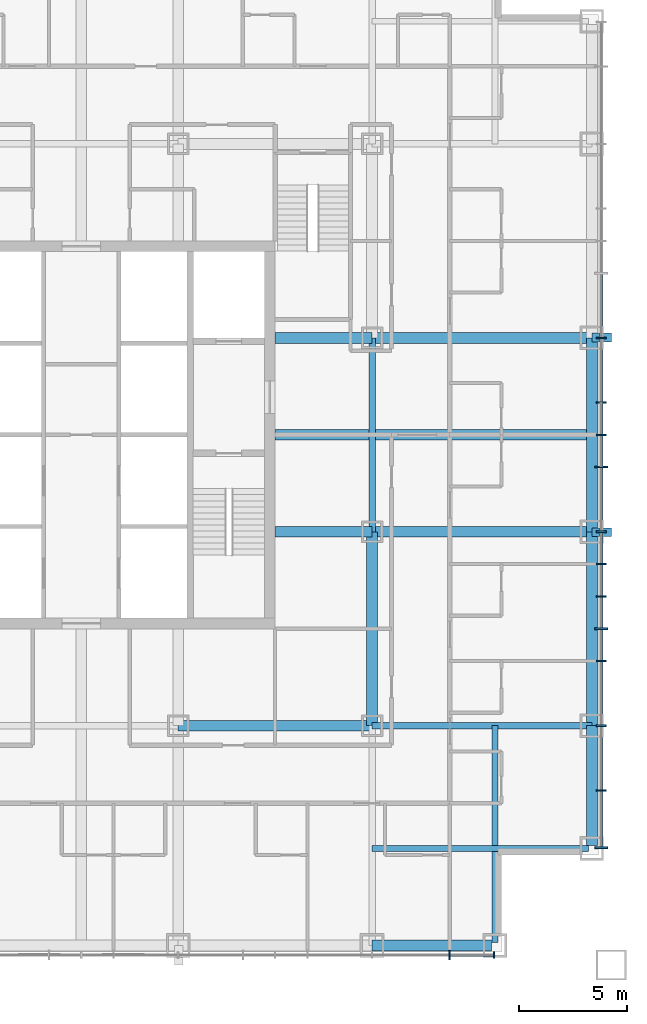
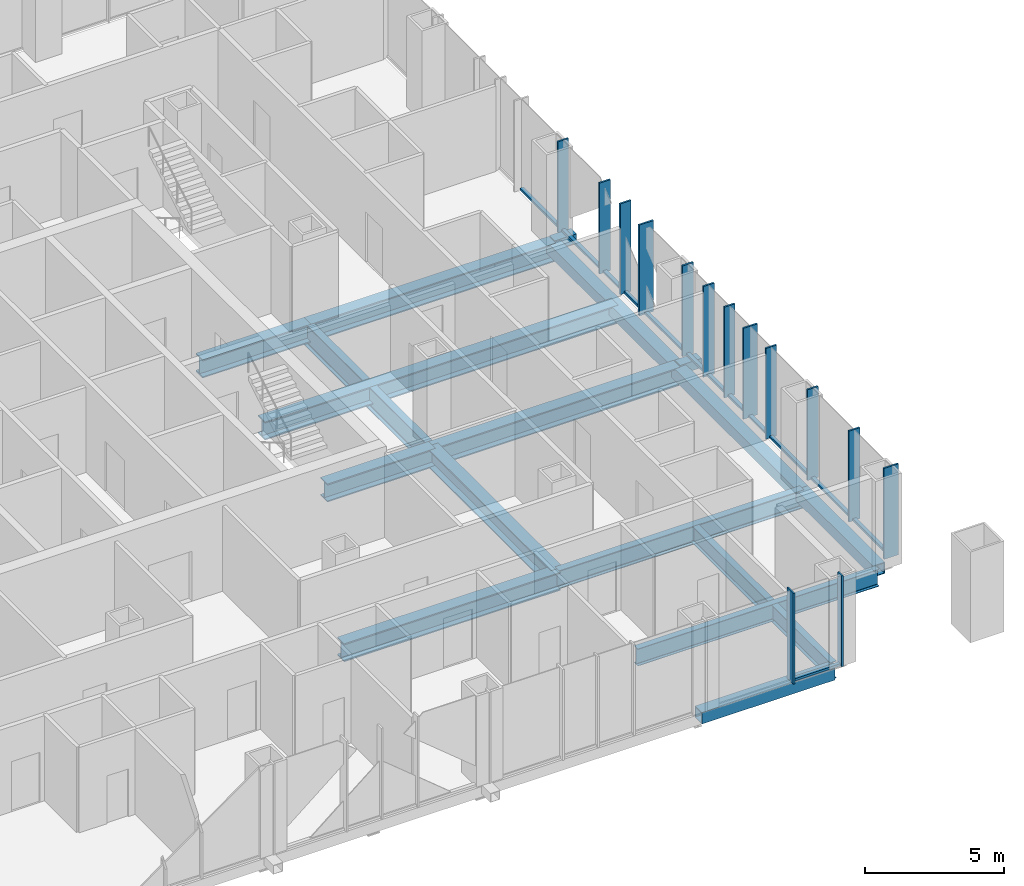
# One storey, part 4 of 16: 29 members, 15 beams, 2 elements without a shape of their own.
"""IFC4 building model written with IfcOpenShell, lengths in metres."""

from ifc_helpers import new_model, si_unit, direction, frame, origin, origin_2d, place, context, subcontext, project, spatial, rectangle, hollow_rectangle, i_section, extrude, material, layer, layer_set, material_profile, profile_set, type_object, element, aggregate, save


model = new_model("IFC4")

# Units and contexts
model_context = context("Model", 3, precision=1e-05, world=origin(), true_north=direction((0.0, 1.0)))
body_context = subcontext(model_context, "Body", "Model", "MODEL_VIEW")
ifc_project = project(units=[si_unit("LENGTHUNIT", "METRE"), si_unit("AREAUNIT", "SQUARE_METRE"), si_unit("VOLUMEUNIT", "CUBIC_METRE"), si_unit("PLANEANGLEUNIT", "RADIAN"), si_unit("MASSUNIT", "GRAM", prefix="KILO")], contexts=[model_context])

# Site, building, storey
site_placement = place(None, origin())
site = spatial("IfcSite", under=ifc_project, at=site_placement, CompositionType="ELEMENT")
building_placement = place(site_placement, origin())
building = spatial("IfcBuilding", under=site, at=building_placement, Name="Malebo Sky Hospital", CompositionType="ELEMENT")
storey_placement = place(building_placement, frame((0.0, 0.0, 116.0)))
storey = spatial("IfcBuildingStorey", under=building, at=storey_placement, Name="L27", CompositionType="ELEMENT", Elevation=116.0)

# Curtain wall, member
ifc_material_1 = material(Name="Anodised aluminium, natural silver", Category="aluminium")
ifc_layer_1 = layer(ifc_material_1, 0.25)
ifc_layer_set_1 = layer_set([ifc_layer_1], Name="WARD CURTAIN WALL NORTH AND SOUTH")
curtain_wall_type_1 = type_object("IfcCurtainWallType", Name="WARD CURTAIN WALL NORTH AND SOUTH", PredefinedType="NOTDEFINED", material=ifc_layer_set_1)
curtain_wall_1_placement = place(storey_placement, origin())
curtain_wall_1 = element("IfcCurtainWall", 1, at=curtain_wall_1_placement, inside=storey, type_object=curtain_wall_type_1, Name="NS curtain wall S", PredefinedType="NOTDEFINED")
ifc_material_profile_1 = material_profile(ifc_material_1, rectangle(XDim=0.14990234375, YDim=0.10009765625, at=origin_2d()), Name="ALUMINIUM TRANSOM 150x100")
ifc_profile_set_1 = profile_set([ifc_material_profile_1], Name="Anodised aluminium, natural silver")
member_type_1 = type_object("IfcMemberType", Name="ALUMINIUM TRANSOM 150x100", PredefinedType="USERDEFINED", material=ifc_profile_set_1)
member_1_placement = place(storey_placement, frame((79.125, 37.864990234375, 0.050048828125), z_axis=(-1.0, 0.0, 0.0), x_axis=(0.0, -1.0, 0.0)))
member_1 = element("IfcMember", 2, at=member_1_placement, type_object=member_type_1, Name="Transom 1", ObjectType="TRANSOM", PredefinedType="USERDEFINED", context=body_context, shape_type="SweptSolid", body=[
    extrude(rectangle(XDim=0.14990234375, YDim=0.10009765625, at=origin_2d()), origin(), (0.0, 0.0, 1.0), 1.987548828125),
])

# Curtain wall, members
ifc_layer_2 = layer(ifc_material_1, 0.25)
ifc_layer_set_2 = layer_set([ifc_layer_2], Name="WARD CURTAIN WALL EAST AND WEST")
curtain_wall_type_2 = type_object("IfcCurtainWallType", Name="WARD CURTAIN WALL EAST AND WEST", PredefinedType="NOTDEFINED", material=ifc_layer_set_2)
curtain_wall_2_placement = place(storey_placement, origin())
curtain_wall_2 = element("IfcCurtainWall", 3, at=curtain_wall_2_placement, inside=storey, type_object=curtain_wall_type_2, Name="EW curtain wall E", PredefinedType="NOTDEFINED")
member_2_placement = place(storey_placement, frame((84.135009765625, 69.46240234375, 0.050048828125), z_axis=(0.0, -1.0, 0.0), x_axis=(1.0, 0.0, 0.0)))
member_2 = element("IfcMember", 4, at=member_2_placement, type_object=member_type_1, Name="Transom 6", ObjectType="TRANSOM", PredefinedType="USERDEFINED", context=body_context, shape_type="SweptSolid", body=[
    extrude(rectangle(XDim=0.14990234375, YDim=0.10009765625, at=origin_2d()), origin(), (0.0, 0.0, 1.0), 2.9248046875),
])
member_3_placement = place(storey_placement, frame((84.135009765625, 66.46240234375, 0.050048828125), z_axis=(0.0, -1.0, 0.0), x_axis=(1.0, 0.0, 0.0)))
member_3 = element("IfcMember", 5, at=member_3_placement, type_object=member_type_1, Name="Transom 7", ObjectType="TRANSOM", PredefinedType="USERDEFINED", context=body_context, shape_type="SweptSolid", body=[
    extrude(rectangle(XDim=0.14990234375, YDim=0.10009765625, at=origin_2d()), origin(), (0.0, 0.0, 1.0), 2.9248046875),
])
member_4_placement = place(storey_placement, frame((84.135009765625, 63.46240234375, 0.050048828125), z_axis=(0.0, -1.0, 0.0), x_axis=(1.0, 0.0, 0.0)))
member_4 = element("IfcMember", 6, at=member_4_placement, type_object=member_type_1, Name="Transom 8", ObjectType="TRANSOM", PredefinedType="USERDEFINED", context=body_context, shape_type="SweptSolid", body=[
    extrude(rectangle(XDim=0.14990234375, YDim=0.10009765625, at=origin_2d()), origin(), (0.0, 0.0, 1.0), 1.4248046875),
])
member_5_placement = place(storey_placement, frame((84.135009765625, 61.96240234375, 0.050048828125), z_axis=(0.0, -1.0, 0.0), x_axis=(1.0, 0.0, 0.0)))
member_5 = element("IfcMember", 7, at=member_5_placement, type_object=member_type_1, Name="Transom 9", ObjectType="TRANSOM", PredefinedType="USERDEFINED", context=body_context, shape_type="SweptSolid", body=[
    extrude(rectangle(XDim=0.14990234375, YDim=0.10009765625, at=origin_2d()), origin(), (0.0, 0.0, 1.0), 1.4248046875),
])
member_6_placement = place(storey_placement, frame((84.135009765625, 60.46240234375, 0.050048828125), z_axis=(0.0, -1.0, 0.0), x_axis=(1.0, 0.0, 0.0)))
member_6 = element("IfcMember", 8, at=member_6_placement, type_object=member_type_1, Name="Transom 10", ObjectType="TRANSOM", PredefinedType="USERDEFINED", context=body_context, shape_type="SweptSolid", body=[
    extrude(rectangle(XDim=0.14990234375, YDim=0.10009765625, at=origin_2d()), origin(), (0.0, 0.0, 1.0), 2.9248046875),
])
member_7_placement = place(storey_placement, frame((84.135009765625, 57.46240234375, 0.050048828125), z_axis=(0.0, -1.0, 0.0), x_axis=(1.0, 0.0, 0.0)))
member_7 = element("IfcMember", 9, at=member_7_placement, type_object=member_type_1, Name="Transom 11", ObjectType="TRANSOM", PredefinedType="USERDEFINED", context=body_context, shape_type="SweptSolid", body=[
    extrude(rectangle(XDim=0.14990234375, YDim=0.10009765625, at=origin_2d()), origin(), (0.0, 0.0, 1.0), 1.4248046875),
])
member_8_placement = place(storey_placement, frame((84.135009765625, 55.96240234375, 0.050048828125), z_axis=(0.0, -1.0, 0.0), x_axis=(1.0, 0.0, 0.0)))
member_8 = element("IfcMember", 10, at=member_8_placement, type_object=member_type_1, Name="Transom 12", ObjectType="TRANSOM", PredefinedType="USERDEFINED", context=body_context, shape_type="SweptSolid", body=[
    extrude(rectangle(XDim=0.14990234375, YDim=0.10009765625, at=origin_2d()), origin(), (0.0, 0.0, 1.0), 1.4248046875),
])
member_9_placement = place(storey_placement, frame((84.135009765625, 54.46240234375, 0.050048828125), z_axis=(0.0, -1.0, 0.0), x_axis=(1.0, 0.0, 0.0)))
member_9 = element("IfcMember", 11, at=member_9_placement, type_object=member_type_1, Name="Transom 13", ObjectType="TRANSOM", PredefinedType="USERDEFINED", context=body_context, shape_type="SweptSolid", body=[
    extrude(rectangle(XDim=0.14990234375, YDim=0.10009765625, at=origin_2d()), origin(), (0.0, 0.0, 1.0), 1.4248046875),
])
member_10_placement = place(storey_placement, frame((84.135009765625, 52.96240234375, 0.050048828125), z_axis=(0.0, -1.0, 0.0), x_axis=(1.0, 0.0, 0.0)))
member_10 = element("IfcMember", 12, at=member_10_placement, type_object=member_type_1, Name="Transom 14", ObjectType="TRANSOM", PredefinedType="USERDEFINED", context=body_context, shape_type="SweptSolid", body=[
    extrude(rectangle(XDim=0.14990234375, YDim=0.10009765625, at=origin_2d()), origin(), (0.0, 0.0, 1.0), 1.4248046875),
])
member_11_placement = place(storey_placement, frame((84.135009765625, 51.46240234375, 0.050048828125), z_axis=(0.0, -1.0, 0.0), x_axis=(1.0, 0.0, 0.0)))
member_11 = element("IfcMember", 13, at=member_11_placement, type_object=member_type_1, Name="Transom 15", ObjectType="TRANSOM", PredefinedType="USERDEFINED", context=body_context, shape_type="SweptSolid", body=[
    extrude(rectangle(XDim=0.14990234375, YDim=0.10009765625, at=origin_2d()), origin(), (0.0, 0.0, 1.0), 2.9248046875),
])
member_12_placement = place(storey_placement, frame((84.135009765625, 48.46240234375, 0.050048828125), z_axis=(0.0, -1.0, 0.0), x_axis=(1.0, 0.0, 0.0)))
member_12 = element("IfcMember", 14, at=member_12_placement, type_object=member_type_1, Name="Transom 16", ObjectType="TRANSOM", PredefinedType="USERDEFINED", context=body_context, shape_type="SweptSolid", body=[
    extrude(rectangle(XDim=0.14990234375, YDim=0.10009765625, at=origin_2d()), origin(), (0.0, 0.0, 1.0), 2.9248046875),
])
member_13_placement = place(storey_placement, frame((84.135009765625, 45.46240234375, 0.050048828125), z_axis=(0.0, -1.0, 0.0), x_axis=(1.0, 0.0, 0.0)))
member_13 = element("IfcMember", 15, at=member_13_placement, type_object=member_type_1, Name="Transom 17", ObjectType="TRANSOM", PredefinedType="USERDEFINED", context=body_context, shape_type="SweptSolid", body=[
    extrude(rectangle(XDim=0.14990234375, YDim=0.10009765625, at=origin_2d()), origin(), (0.0, 0.0, 1.0), 2.58740234375),
])

# Members
ifc_material_2 = material(Name="Steel S355", Category="steel")
ifc_material_profile_2 = material_profile(ifc_material_2, hollow_rectangle(XDim=0.39990234375, YDim=0.39990234375, WallThickness=0.02001953125, at=origin_2d()), Name="SHS 400x20")
ifc_profile_set_2 = profile_set([ifc_material_profile_2], Name="Steel S355")
member_type_2 = type_object("IfcMemberType", Name="BRACE STRUT SHS 400x20", PredefinedType="STRUT", material=ifc_profile_set_2)
for number, where, z_axis, x_axis, name in (
    (16, (84.60009765625, 57.48046875, -0.39990234375), (-1.0, 0.0, 0.0), (0.0, -1.0, 0.0), "Brace strut BE1 L27"),
    (17, (84.60009765625, 66.51953125, -0.39990234375), (-1.0, 0.0, 0.0), (0.0, -1.0, 0.0), "Brace strut BE2 L27"),
):
    element("IfcMember", number, at=place(storey_placement, frame(where, z_axis=z_axis, x_axis=x_axis)), inside=storey, type_object=member_type_2, Name=name, PredefinedType="STRUT", context=body_context, shape_type="SweptSolid", body=[
        extrude(hollow_rectangle(XDim=0.39990234375, YDim=0.39990234375, WallThickness=0.02001953125, at=origin_2d()), origin(), (0.0, 0.0, 1.0), 0.900146484375),
    ])

# Member
ifc_material_profile_3 = material_profile(ifc_material_1, rectangle(XDim=0.074951171875, YDim=0.300048828125, at=origin_2d()), Name="CW1 ALUMINIUM FIN MULLION 75x300")
ifc_profile_set_3 = profile_set([ifc_material_profile_3], Name="Anodised aluminium, natural silver")
member_type_3 = type_object("IfcMemberType", Name="CW1 ALUMINIUM FIN MULLION 75x300", PredefinedType="MULLION", material=ifc_profile_set_3)
member_14_placement = place(storey_placement, frame((79.16259765625, 37.864990234375, 0.0), z_axis=(0.0, 0.0, 1.0), x_axis=(-1.0, 0.0, 0.0)))
member_14 = element("IfcMember", 18, at=member_14_placement, type_object=member_type_3, Name="Fin mullion 1", PredefinedType="MULLION", context=body_context, shape_type="SweptSolid", body=[
    extrude(rectangle(XDim=0.074951171875, YDim=0.300048828125, at=origin_2d()), origin(), (0.0, 0.0, 1.0), 4.0),
])

ifc_material_profile_4 = material_profile(ifc_material_1, rectangle(XDim=0.074951171875, YDim=0.449951171875, at=origin_2d()), Name="CW1 ALUMINIUM FIN MULLION 75x450")
ifc_profile_set_4 = profile_set([ifc_material_profile_4], Name="Anodised aluminium, natural silver")
member_type_4 = type_object("IfcMemberType", Name="CW1 ALUMINIUM FIN MULLION 75x450", PredefinedType="MULLION", material=ifc_profile_set_4)
member_15_placement = place(storey_placement, frame((77.10009765625, 37.864990234375, 0.0), z_axis=(0.0, 0.0, 1.0), x_axis=(-1.0, 0.0, 0.0)))
member_15 = element("IfcMember", 19, at=member_15_placement, type_object=member_type_4, Name="Fin mullion 2", PredefinedType="MULLION", context=body_context, shape_type="SweptSolid", body=[
    extrude(rectangle(XDim=0.074951171875, YDim=0.449951171875, at=origin_2d()), origin(), (0.0, 0.0, 1.0), 4.0),
])

aggregate(curtain_wall_1, [member_14, member_15, member_1])

ifc_material_profile_5 = material_profile(ifc_material_1, rectangle(XDim=0.074951171875, YDim=0.449951171875, at=origin_2d()), Name="CW2 ALUMINIUM FIN MULLION 75x450")
ifc_profile_set_5 = profile_set([ifc_material_profile_5], Name="Anodised aluminium, natural silver")
member_type_5 = type_object("IfcMemberType", Name="CW2 ALUMINIUM FIN MULLION 75x450", PredefinedType="MULLION", material=ifc_profile_set_5)
member_16_placement = place(storey_placement, frame((84.135009765625, 66.5, 0.0), z_axis=(0.0, 0.0, 1.0), x_axis=(0.0, -1.0, 0.0)))
member_16 = element("IfcMember", 20, at=member_16_placement, type_object=member_type_5, Name="Fin mullion 7", PredefinedType="MULLION", context=body_context, shape_type="SweptSolid", body=[
    extrude(rectangle(XDim=0.074951171875, YDim=0.449951171875, at=origin_2d()), origin(), (0.0, 0.0, 1.0), 4.0),
])

member_17_placement = place(storey_placement, frame((84.135009765625, 63.5, 0.0), z_axis=(0.0, 0.0, 1.0), x_axis=(0.0, -1.0, 0.0)))
member_17 = element("IfcMember", 21, at=member_17_placement, type_object=member_type_5, Name="Fin mullion 8", PredefinedType="MULLION", context=body_context, shape_type="SweptSolid", body=[
    extrude(rectangle(XDim=0.074951171875, YDim=0.449951171875, at=origin_2d()), origin(), (0.0, 0.0, 1.0), 4.0),
])

member_18_placement = place(storey_placement, frame((84.135009765625, 62.0, 0.0), z_axis=(0.0, 0.0, 1.0), x_axis=(0.0, -1.0, 0.0)))
member_18 = element("IfcMember", 22, at=member_18_placement, type_object=member_type_5, Name="Fin mullion 9", PredefinedType="MULLION", context=body_context, shape_type="SweptSolid", body=[
    extrude(rectangle(XDim=0.074951171875, YDim=0.449951171875, at=origin_2d()), origin(), (0.0, 0.0, 1.0), 4.0),
])

member_19_placement = place(storey_placement, frame((84.135009765625, 57.5, 0.0), z_axis=(0.0, 0.0, 1.0), x_axis=(0.0, -1.0, 0.0)))
member_19 = element("IfcMember", 23, at=member_19_placement, type_object=member_type_5, Name="Fin mullion 11", PredefinedType="MULLION", context=body_context, shape_type="SweptSolid", body=[
    extrude(rectangle(XDim=0.074951171875, YDim=0.449951171875, at=origin_2d()), origin(), (0.0, 0.0, 1.0), 4.0),
])

member_20_placement = place(storey_placement, frame((84.135009765625, 56.0, 0.0), z_axis=(0.0, 0.0, 1.0), x_axis=(0.0, -1.0, 0.0)))
member_20 = element("IfcMember", 24, at=member_20_placement, type_object=member_type_5, Name="Fin mullion 12", PredefinedType="MULLION", context=body_context, shape_type="SweptSolid", body=[
    extrude(rectangle(XDim=0.074951171875, YDim=0.449951171875, at=origin_2d()), origin(), (0.0, 0.0, 1.0), 4.0),
])

member_21_placement = place(storey_placement, frame((84.135009765625, 54.5, 0.0), z_axis=(0.0, 0.0, 1.0), x_axis=(0.0, -1.0, 0.0)))
member_21 = element("IfcMember", 25, at=member_21_placement, type_object=member_type_5, Name="Fin mullion 13", PredefinedType="MULLION", context=body_context, shape_type="SweptSolid", body=[
    extrude(rectangle(XDim=0.074951171875, YDim=0.449951171875, at=origin_2d()), origin(), (0.0, 0.0, 1.0), 4.0),
])

member_22_placement = place(storey_placement, frame((84.135009765625, 51.5, 0.0), z_axis=(0.0, 0.0, 1.0), x_axis=(0.0, -1.0, 0.0)))
member_22 = element("IfcMember", 26, at=member_22_placement, type_object=member_type_5, Name="Fin mullion 15", PredefinedType="MULLION", context=body_context, shape_type="SweptSolid", body=[
    extrude(rectangle(XDim=0.074951171875, YDim=0.449951171875, at=origin_2d()), origin(), (0.0, 0.0, 1.0), 4.0),
])

member_23_placement = place(storey_placement, frame((84.135009765625, 48.5, 0.0), z_axis=(0.0, 0.0, 1.0), x_axis=(0.0, -1.0, 0.0)))
member_23 = element("IfcMember", 27, at=member_23_placement, type_object=member_type_5, Name="Fin mullion 16", PredefinedType="MULLION", context=body_context, shape_type="SweptSolid", body=[
    extrude(rectangle(XDim=0.074951171875, YDim=0.449951171875, at=origin_2d()), origin(), (0.0, 0.0, 1.0), 4.0),
])

member_24_placement = place(storey_placement, frame((84.135009765625, 45.5, 0.0), z_axis=(0.0, 0.0, 1.0), x_axis=(0.0, -1.0, 0.0)))
member_24 = element("IfcMember", 28, at=member_24_placement, type_object=member_type_5, Name="Fin mullion 17", PredefinedType="MULLION", context=body_context, shape_type="SweptSolid", body=[
    extrude(rectangle(XDim=0.074951171875, YDim=0.449951171875, at=origin_2d()), origin(), (0.0, 0.0, 1.0), 4.0),
])

ifc_material_profile_6 = material_profile(ifc_material_1, rectangle(XDim=0.074951171875, YDim=0.60009765625, at=origin_2d()), Name="CW2 ALUMINIUM FIN MULLION 75x600")
ifc_profile_set_6 = profile_set([ifc_material_profile_6], Name="Anodised aluminium, natural silver")
member_type_6 = type_object("IfcMemberType", Name="CW2 ALUMINIUM FIN MULLION 75x600", PredefinedType="MULLION", material=ifc_profile_set_6)
member_25_placement = place(storey_placement, frame((84.135009765625, 60.5, 0.0), z_axis=(0.0, 0.0, 1.0), x_axis=(0.0, -1.0, 0.0)))
member_25 = element("IfcMember", 29, at=member_25_placement, type_object=member_type_6, Name="Fin mullion 10", PredefinedType="MULLION", context=body_context, shape_type="SweptSolid", body=[
    extrude(rectangle(XDim=0.074951171875, YDim=0.60009765625, at=origin_2d()), origin(), (0.0, 0.0, 1.0), 4.0),
])

member_26_placement = place(storey_placement, frame((84.135009765625, 53.0, 0.0), z_axis=(0.0, 0.0, 1.0), x_axis=(0.0, -1.0, 0.0)))
member_26 = element("IfcMember", 30, at=member_26_placement, type_object=member_type_6, Name="Fin mullion 14", PredefinedType="MULLION", context=body_context, shape_type="SweptSolid", body=[
    extrude(rectangle(XDim=0.074951171875, YDim=0.60009765625, at=origin_2d()), origin(), (0.0, 0.0, 1.0), 4.0),
])

member_27_placement = place(storey_placement, frame((84.135009765625, 42.83740234375, 0.0), z_axis=(0.0, 0.0, 1.0), x_axis=(0.0, -1.0, 0.0)))
member_27 = element("IfcMember", 31, at=member_27_placement, type_object=member_type_6, Name="Fin mullion 18", PredefinedType="MULLION", context=body_context, shape_type="SweptSolid", body=[
    extrude(rectangle(XDim=0.074951171875, YDim=0.60009765625, at=origin_2d()), origin(), (0.0, 0.0, 1.0), 4.0),
])

aggregate(curtain_wall_2, [member_16, member_17, member_18, member_25, member_19, member_20, member_21, member_26, member_22, member_23, member_24, member_27, member_2, member_3, member_4, member_5, member_6, member_7, member_8, member_9, member_10, member_11, member_12, member_13])

# Beams
ifc_material_3 = material(Name="Steel S460", Category="steel")
ifc_material_profile_7 = material_profile(ifc_material_3, hollow_rectangle(XDim=0.5, YDim=0.5, WallThickness=0.030029296875, at=origin_2d()), Name="BOX 500x500x30")
ifc_profile_set_7 = profile_set([ifc_material_profile_7], Name="Steel S460")
beam_type_1 = type_object("IfcBeamType", Name="EDGE BEAM BOX 500x500x30", PredefinedType="BEAM", material=ifc_profile_set_7)
beam_1_placement = place(storey_placement, frame((83.699951171875, 42.949951171875, -0.5), z_axis=(0.0, 1.0, 0.0), x_axis=(-1.0, 0.0, 0.0)))
element("IfcBeam", 32, at=beam_1_placement, inside=storey, type_object=beam_type_1, Name="Beam 029 L27", PredefinedType="BEAM", context=body_context, shape_type="SweptSolid", body=[
    extrude(hollow_rectangle(XDim=0.5, YDim=0.5, WallThickness=0.030029296875, at=origin_2d()), origin(), (0.0, 0.0, 1.0), 5.550048828125),
])
for number, where, z_axis, x_axis, name in (
    (33, (83.699951171875, 48.5, -0.5), (0.0, 1.0, 0.0), (-1.0, 0.0, 0.0), "Beam 030 L27"),
    (34, (83.699951171875, 57.5, -0.5), (0.0, 1.0, 0.0), (-1.0, 0.0, 0.0), "Beam 031 L27"),
):
    element("IfcBeam", number, at=place(storey_placement, frame(where, z_axis=z_axis, x_axis=x_axis)), inside=storey, type_object=beam_type_1, Name=name, PredefinedType="BEAM", context=body_context, shape_type="SweptSolid", body=[
        extrude(hollow_rectangle(XDim=0.5, YDim=0.5, WallThickness=0.030029296875, at=origin_2d()), origin(), (0.0, 0.0, 1.0), 9.0),
    ])
beam_2_placement = place(storey_placement, frame((73.5, 38.300048828125, -0.5), z_axis=(1.0, 0.0, 0.0), x_axis=(0.0, 1.0, 0.0)))
element("IfcBeam", 35, at=beam_2_placement, inside=storey, type_object=beam_type_1, Name="Beam 038 L27", PredefinedType="BEAM", context=body_context, shape_type="SweptSolid", body=[
    extrude(hollow_rectangle(XDim=0.5, YDim=0.5, WallThickness=0.030029296875, at=origin_2d()), origin(), (0.0, 0.0, 1.0), 5.550048828125),
])
ifc_material_profile_8 = material_profile(ifc_material_2, i_section(OverallWidth=0.262939453125, OverallDepth=0.7529296875, WebThickness=0.011474609375, FlangeThickness=0.01708984375, FilletRadius=0.01708984375, at=origin_2d()), Name="IPE 750x137")
ifc_profile_set_8 = profile_set([ifc_material_profile_8], Name="Steel S355")
beam_type_2 = type_object("IfcBeamType", Name="FLOOR BEAM IPE 750x137", PredefinedType="BEAM", material=ifc_profile_set_8)
for number, where, z_axis, x_axis, name in (
    (36, (79.199951171875, 38.449951171875, -0.62646484375), (0.0, 1.0, 0.0), (-1.0, 0.0, 0.0), "Beam 027 L27"),
    (37, (73.5, 42.800048828125, -0.62646484375), (1.0, 0.0, 0.0), (0.0, 1.0, 0.0), "Beam 040 L27"),
):
    element("IfcBeam", number, at=place(storey_placement, frame(where, z_axis=z_axis, x_axis=x_axis)), inside=storey, type_object=beam_type_2, Name=name, PredefinedType="BEAM", context=body_context, shape_type="SweptSolid", body=[
        extrude(i_section(OverallWidth=0.262939453125, OverallDepth=0.7529296875, WebThickness=0.011474609375, FlangeThickness=0.01708984375, FilletRadius=0.01708984375, at=origin_2d()), origin(), (0.0, 0.0, 1.0), 10.050048828125),
    ])
ifc_material_profile_9 = material_profile(ifc_material_2, i_section(OverallWidth=0.5, OverallDepth=0.800048828125, WebThickness=0.030029296875, FlangeThickness=0.050048828125, at=origin_2d()), Name="PG 800x500x30x50")
ifc_profile_set_9 = profile_set([ifc_material_profile_9], Name="Steel S355")
beam_type_3 = type_object("IfcBeamType", Name="FLOOR BEAM PG 800x500x30x50", PredefinedType="BEAM", material=ifc_profile_set_9)
for number, where, z_axis, x_axis, name in (
    (38, (73.5, 48.5, -0.64990234375), (0.0, 1.0, 0.0), (-1.0, 0.0, 0.0), "Beam 023 L27"),
    (39, (64.5, 48.5, -0.64990234375), (1.0, 0.0, 0.0), (0.0, 1.0, 0.0), "Beam 044 L27"),
):
    element("IfcBeam", number, at=place(storey_placement, frame(where, z_axis=z_axis, x_axis=x_axis)), inside=storey, type_object=beam_type_3, Name=name, PredefinedType="BEAM", context=body_context, shape_type="SweptSolid", body=[
        extrude(i_section(OverallWidth=0.5, OverallDepth=0.800048828125, WebThickness=0.030029296875, FlangeThickness=0.050048828125, at=origin_2d()), origin(), (0.0, 0.0, 1.0), 9.0),
    ])
beam_3_placement = place(storey_placement, frame((69.0, 57.5, -0.64990234375), z_axis=(1.0, 0.0, 0.0), x_axis=(0.0, 1.0, 0.0)))
element("IfcBeam", 40, at=beam_3_placement, inside=storey, type_object=beam_type_3, Name="Beam 048 L27", PredefinedType="BEAM", context=body_context, shape_type="SweptSolid", body=[
    extrude(i_section(OverallWidth=0.5, OverallDepth=0.800048828125, WebThickness=0.030029296875, FlangeThickness=0.050048828125, at=origin_2d()), origin(), (0.0, 0.0, 1.0), 4.5),
])
beam_4_placement = place(storey_placement, frame((73.5, 57.5, -0.64990234375), z_axis=(1.0, 0.0, 0.0), x_axis=(0.0, 1.0, 0.0)))
element("IfcBeam", 41, at=beam_4_placement, inside=storey, type_object=beam_type_3, Name="Beam 049 L27", PredefinedType="BEAM", context=body_context, shape_type="SweptSolid", body=[
    extrude(i_section(OverallWidth=0.5, OverallDepth=0.800048828125, WebThickness=0.030029296875, FlangeThickness=0.050048828125, at=origin_2d()), origin(), (0.0, 0.0, 1.0), 10.199951171875),
])
beam_5_placement = place(storey_placement, frame((69.0, 62.0, -0.64990234375), z_axis=(1.0, 0.0, 0.0), x_axis=(0.0, 1.0, 0.0)))
element("IfcBeam", 42, at=beam_5_placement, inside=storey, type_object=beam_type_3, Name="Beam 051 L27", PredefinedType="BEAM", context=body_context, shape_type="SweptSolid", body=[
    extrude(i_section(OverallWidth=0.5, OverallDepth=0.800048828125, WebThickness=0.030029296875, FlangeThickness=0.050048828125, at=origin_2d()), origin(), (0.0, 0.0, 1.0), 14.699951171875),
])
beam_6_placement = place(storey_placement, frame((69.0, 66.5, -0.64990234375), z_axis=(1.0, 0.0, 0.0), x_axis=(0.0, 1.0, 0.0)))
element("IfcBeam", 43, at=beam_6_placement, inside=storey, type_object=beam_type_3, Name="Beam 054 L27", PredefinedType="BEAM", context=body_context, shape_type="SweptSolid", body=[
    extrude(i_section(OverallWidth=0.5, OverallDepth=0.800048828125, WebThickness=0.030029296875, FlangeThickness=0.050048828125, at=origin_2d()), origin(), (0.0, 0.0, 1.0), 4.5),
])
beam_7_placement = place(storey_placement, frame((73.5, 66.5, -0.64990234375), z_axis=(1.0, 0.0, 0.0), x_axis=(0.0, 1.0, 0.0)))
element("IfcBeam", 44, at=beam_7_placement, inside=storey, type_object=beam_type_3, Name="Beam 055 L27", PredefinedType="BEAM", context=body_context, shape_type="SweptSolid", body=[
    extrude(i_section(OverallWidth=0.5, OverallDepth=0.800048828125, WebThickness=0.030029296875, FlangeThickness=0.050048828125, at=origin_2d()), origin(), (0.0, 0.0, 1.0), 10.199951171875),
])
ifc_material_profile_10 = material_profile(ifc_material_2, i_section(OverallWidth=0.300048828125, OverallDepth=0.800048828125, WebThickness=0.017578125, FlangeThickness=0.032958984375, FilletRadius=0.030029296875, at=origin_2d()), Name="HEB 800")
ifc_profile_set_10 = profile_set([ifc_material_profile_10], Name="Steel S355")
beam_type_4 = type_object("IfcBeamType", Name="FLOOR GIRDER HEB 800", PredefinedType="BEAM", material=ifc_profile_set_10)
beam_8_placement = place(storey_placement, frame((73.5, 48.5, -0.64990234375), z_axis=(1.0, 0.0, 0.0), x_axis=(0.0, 1.0, 0.0)))
element("IfcBeam", 45, at=beam_8_placement, inside=storey, type_object=beam_type_4, Name="Beam 045 L27", PredefinedType="BEAM", context=body_context, shape_type="SweptSolid", body=[
    extrude(i_section(OverallWidth=0.300048828125, OverallDepth=0.800048828125, WebThickness=0.017578125, FlangeThickness=0.032958984375, FilletRadius=0.030029296875, at=origin_2d()), origin(), (0.0, 0.0, 1.0), 10.199951171875),
])
ifc_material_profile_11 = material_profile(ifc_material_2, i_section(OverallWidth=0.300048828125, OverallDepth=1.0, WebThickness=0.01904296875, FlangeThickness=0.035888671875, FilletRadius=0.030029296875, at=origin_2d()), Name="HEB 1000")
ifc_profile_set_11 = profile_set([ifc_material_profile_11], Name="Steel S355")
beam_type_5 = type_object("IfcBeamType", Name="RING GIRDER HEB 1000", PredefinedType="BEAM", material=ifc_profile_set_11)
beam_9_placement = place(storey_placement, frame((73.5, 57.5, -0.75), z_axis=(0.0, 1.0, 0.0), x_axis=(-1.0, 0.0, 0.0)))
element("IfcBeam", 46, at=beam_9_placement, inside=storey, type_object=beam_type_5, Name="Beam 024 L27", PredefinedType="BEAM", context=body_context, shape_type="SweptSolid", body=[
    extrude(i_section(OverallWidth=0.300048828125, OverallDepth=1.0, WebThickness=0.01904296875, FlangeThickness=0.035888671875, FilletRadius=0.030029296875, at=origin_2d()), origin(), (0.0, 0.0, 1.0), 9.0),
])

save(model, "model.ifc")
